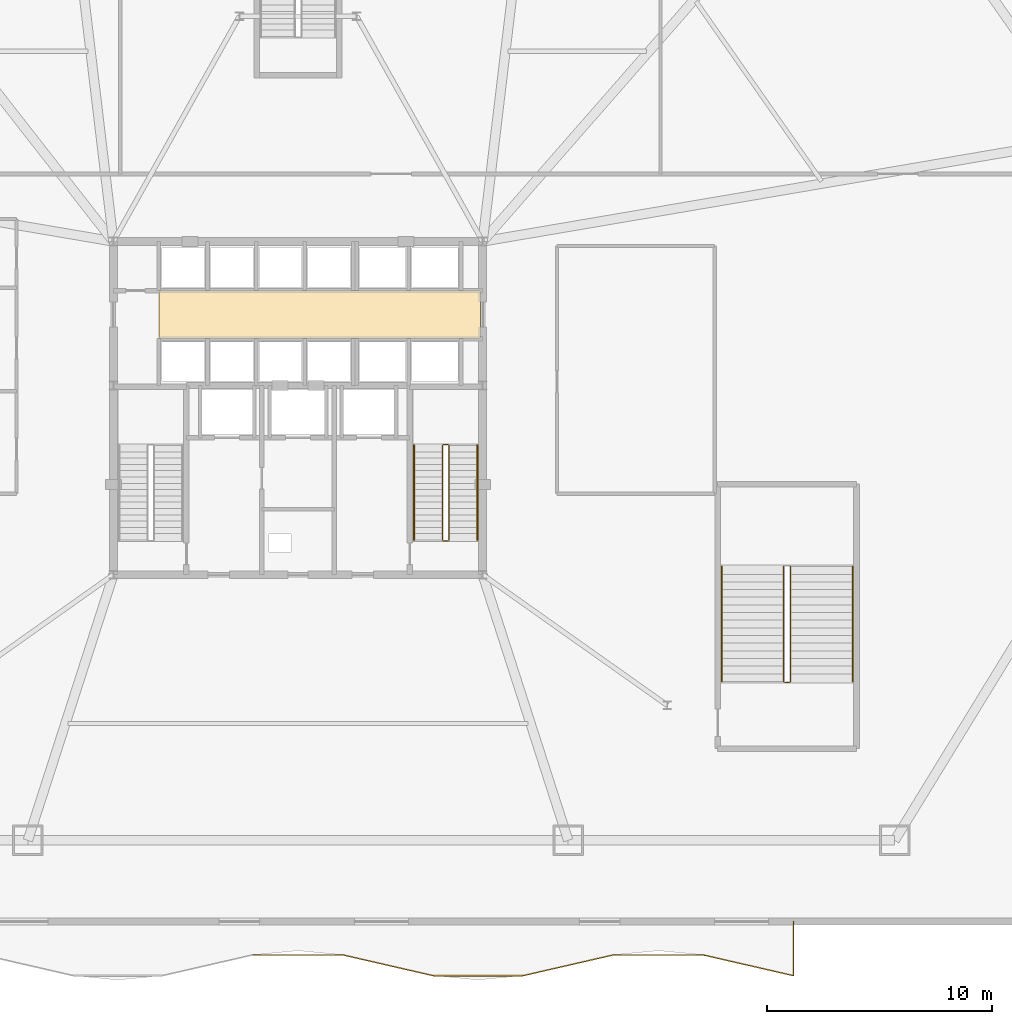
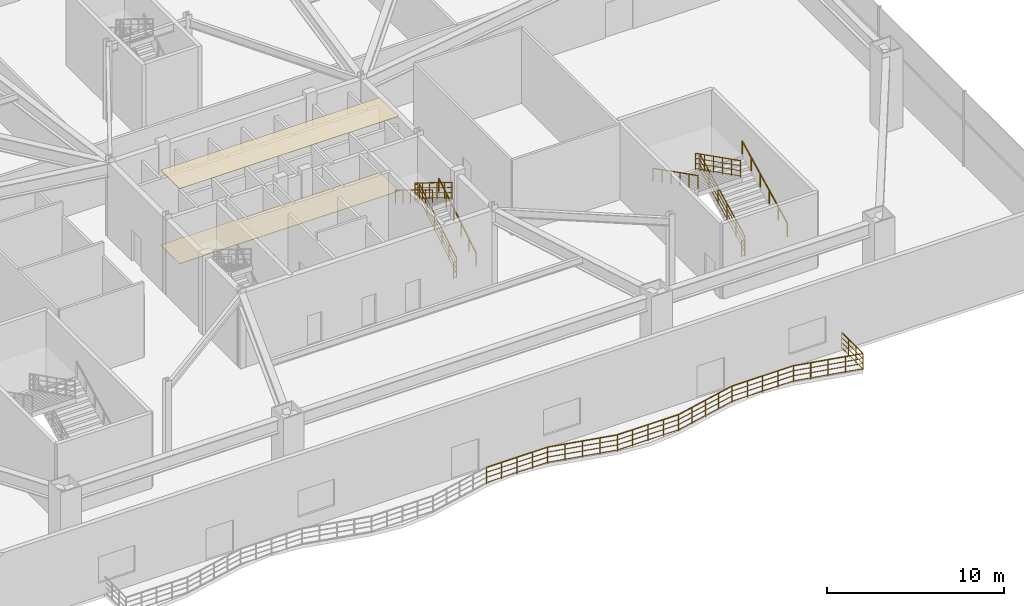
# One storey, part 17 of 20: 18 railings, 2 coverings.
"""IFC4 building model written with IfcOpenShell, lengths in metres."""

from ifc_helpers import new_model, si_unit, direction, frame, origin, origin_2d, place, context, subcontext, project, spatial, polyline, rectangle, outline, extrude, material, layer, layer_set, type_object, element, save


model = new_model("IFC4")

# Units and contexts
model_context = context("Model", 3, precision=1e-05, world=origin(), true_north=direction((0.0, 1.0)))
body_context = subcontext(model_context, "Body", "Model", "MODEL_VIEW")
ifc_project = project(units=[si_unit("LENGTHUNIT", "METRE"), si_unit("AREAUNIT", "SQUARE_METRE"), si_unit("VOLUMEUNIT", "CUBIC_METRE"), si_unit("PLANEANGLEUNIT", "RADIAN"), si_unit("MASSUNIT", "GRAM", prefix="KILO")], contexts=[model_context])

# Site, building, storey
site_placement = place(None, origin())
site = spatial("IfcSite", under=ifc_project, at=site_placement, CompositionType="ELEMENT")
building_placement = place(site_placement, origin())
building = spatial("IfcBuilding", under=site, at=building_placement, Name="Varakhsha Concourse Tower", CompositionType="ELEMENT")
storey_placement = place(building_placement, frame((0.0, 0.0, 16.5)))
storey = spatial("IfcBuildingStorey", under=building, at=storey_placement, Name="L04", CompositionType="ELEMENT", Elevation=16.5)

# Coverings
ifc_material_1 = material(Name="Mineral Fibre Acoustic Lay-In Ceiling Tile 20 mm", Category="mineral")
ifc_layer_1 = layer(ifc_material_1, 0.02001953125, Name="COV-CEIL-20")
ifc_layer_set_1 = layer_set([ifc_layer_1], Name="Mineral Fibre Acoustic Lay-In Ceiling Tile 20 mm")
covering_type_1 = type_object("IfcCoveringType", Name="COV-CEIL-20", PredefinedType="CEILING", material=ifc_layer_set_1)
covering_1_placement = place(storey_placement, frame((0.0, 0.0, 5.159912109375)))
element("IfcCovering", 1, at=covering_1_placement, inside=storey, type_object=covering_type_1, Name="L04 Lift Lobby Acoustic Ceiling", PredefinedType="CEILING", context=body_context, shape_type="SweptSolid", body=[
    extrude(outline(polyline([(33.820068359375, 26.8798828125), (48.10009765625, 26.8798828125), (48.10009765625, 29.02001953125), (33.820068359375, 29.02001953125), (33.820068359375, 26.8798828125)])), origin(), (0.0, 0.0, 1.0), 0.02001953125),
])
ifc_material_2 = material(Name="Polished Samarkand Aggregate Terrazzo Flooring 25 mm", Category="concrete")
ifc_layer_2 = layer(ifc_material_2, 0.02490234375, Name="COV-FLOOR-25")
ifc_layer_set_2 = layer_set([ifc_layer_2], Name="Polished Samarkand Aggregate Terrazzo Flooring 25 mm")
covering_type_2 = type_object("IfcCoveringType", Name="COV-FLOOR-25", PredefinedType="FLOORING", material=ifc_layer_set_2)
covering_2_placement = place(storey_placement, origin())
element("IfcCovering", 2, at=covering_2_placement, inside=storey, type_object=covering_type_2, Name="L04 Lift Lobby Terrazzo Flooring", PredefinedType="FLOORING", context=body_context, shape_type="SweptSolid", body=[
    extrude(outline(polyline([(33.820068359375, 26.8798828125), (48.10009765625, 26.8798828125), (48.10009765625, 29.02001953125), (33.820068359375, 29.02001953125), (33.820068359375, 26.8798828125)])), origin(), (0.0, 0.0, 1.0), 0.02490234375),
])

# Railings
ifc_material_3 = material(Name="Laminated Structural Low-Iron Glass 52 mm", Category="glass")
railing_type_1 = type_object("IfcRailingType", Name="RL-BALUSTRADE-1150", PredefinedType="BALUSTRADE", material=ifc_material_3)
railing_1_placement = place(storey_placement, frame((38.0, -0.490478515625, 0.0)))
element("IfcRailing", 3, at=railing_1_placement, inside=storey, type_object=railing_type_1, Name="L04 Perimeter Safety Balustrade RL-WAVE-L04-08", PredefinedType="BALUSTRADE", context=body_context, shape_type="SweptSolid", body=[
    extrude(rectangle(XDim=0.048095703125, YDim=0.048095703125, at=origin_2d()), frame((0.0, 0.0, 1.1259765625), z_axis=(1.0, 0.0, 0.0), x_axis=(0.0, 1.0, 0.0)), (0.0, 0.0, 1.0), 4.0),
    extrude(rectangle(XDim=0.028076171875, YDim=0.028076171875, at=origin_2d()), frame((0.0, 0.0, 0.080078125), z_axis=(1.0, 0.0, 0.0), x_axis=(0.0, 1.0, 0.0)), (0.0, 0.0, 1.0), 4.0),
    extrude(rectangle(XDim=0.028076171875, YDim=0.028076171875, at=origin_2d()), frame((0.0, 0.0, 0.43701171875), z_axis=(1.0, 0.0, 0.0), x_axis=(0.0, 1.0, 0.0)), (0.0, 0.0, 1.0), 4.0),
    extrude(rectangle(XDim=0.028076171875, YDim=0.028076171875, at=origin_2d()), frame((0.0, 0.0, 0.781982421875), z_axis=(1.0, 0.0, 0.0), x_axis=(0.0, 1.0, 0.0)), (0.0, 0.0, 1.0), 4.0),
    extrude(rectangle(XDim=0.0419921875, YDim=0.0419921875, at=origin_2d()), origin(), (0.0, 0.0, 1.0), 1.101806640625),
    extrude(rectangle(XDim=0.0419921875, YDim=0.0419921875, at=origin_2d()), frame((1.0, 0.0, 0.0)), (0.0, 0.0, 1.0), 1.101806640625),
    extrude(rectangle(XDim=0.0419921875, YDim=0.0419921875, at=origin_2d()), frame((2.0, 0.0, 0.0)), (0.0, 0.0, 1.0), 1.101806640625),
    extrude(rectangle(XDim=0.0419921875, YDim=0.0419921875, at=origin_2d()), frame((3.0, 0.0, 0.0)), (0.0, 0.0, 1.0), 1.101806640625),
    extrude(rectangle(XDim=0.0419921875, YDim=0.0419921875, at=origin_2d()), frame((4.0, 0.0, 0.0)), (0.0, 0.0, 1.0), 1.101806640625),
])
railing_2_placement = place(storey_placement, frame((42.0, -0.490478515625, 0.0)))
element("IfcRailing", 4, at=railing_2_placement, inside=storey, type_object=railing_type_1, Name="L04 Perimeter Safety Balustrade RL-WAVE-L04-09", PredefinedType="BALUSTRADE", context=body_context, shape_type="SweptSolid", body=[
    extrude(rectangle(XDim=0.048095703125, YDim=0.048095703125, at=origin_2d()), frame((0.0, 0.0, 1.1259765625), z_axis=(0.974598308999, -0.223960121666, 0.0), x_axis=(0.223960121666, 0.974598308999, 0.0)), (0.0, 0.0, 1.0), 4.104248046875),
    extrude(rectangle(XDim=0.028076171875, YDim=0.028076171875, at=origin_2d()), frame((0.0, 0.0, 0.080078125), z_axis=(0.974598308999, -0.223960121666, 0.0), x_axis=(0.223960121666, 0.974598308999, 0.0)), (0.0, 0.0, 1.0), 4.104248046875),
    extrude(rectangle(XDim=0.028076171875, YDim=0.028076171875, at=origin_2d()), frame((0.0, 0.0, 0.43701171875), z_axis=(0.974598308999, -0.223960121666, 0.0), x_axis=(0.223960121666, 0.974598308999, 0.0)), (0.0, 0.0, 1.0), 4.104248046875),
    extrude(rectangle(XDim=0.028076171875, YDim=0.028076171875, at=origin_2d()), frame((0.0, 0.0, 0.781982421875), z_axis=(0.974598308999, -0.223960121666, 0.0), x_axis=(0.223960121666, 0.974598308999, 0.0)), (0.0, 0.0, 1.0), 4.104248046875),
    extrude(rectangle(XDim=0.0419921875, YDim=0.0419921875, at=origin_2d()), origin(), (0.0, 0.0, 1.0), 1.101806640625),
    extrude(rectangle(XDim=0.0419921875, YDim=0.0419921875, at=origin_2d()), frame((1.0, -0.229736328125, 0.0)), (0.0, 0.0, 1.0), 1.101806640625),
    extrude(rectangle(XDim=0.0419921875, YDim=0.0419921875, at=origin_2d()), frame((2.0, -0.45947265625, 0.0)), (0.0, 0.0, 1.0), 1.101806640625),
    extrude(rectangle(XDim=0.0419921875, YDim=0.0419921875, at=origin_2d()), frame((3.0, -0.689453125, 0.0)), (0.0, 0.0, 1.0), 1.101806640625),
    extrude(rectangle(XDim=0.0419921875, YDim=0.0419921875, at=origin_2d()), frame((4.0, -0.919189453125, 0.0)), (0.0, 0.0, 1.0), 1.101806640625),
])
railing_3_placement = place(storey_placement, frame((46.0, -1.40966796875, 0.0)))
element("IfcRailing", 5, at=railing_3_placement, inside=storey, type_object=railing_type_1, Name="L04 Perimeter Safety Balustrade RL-WAVE-L04-10", PredefinedType="BALUSTRADE", context=body_context, shape_type="SweptSolid", body=[
    extrude(rectangle(XDim=0.048095703125, YDim=0.048095703125, at=origin_2d()), frame((0.0, 0.0, 1.1259765625), z_axis=(1.0, 0.0, 0.0), x_axis=(0.0, 1.0, 0.0)), (0.0, 0.0, 1.0), 4.0),
    extrude(rectangle(XDim=0.028076171875, YDim=0.028076171875, at=origin_2d()), frame((0.0, 0.0, 0.080078125), z_axis=(1.0, 0.0, 0.0), x_axis=(0.0, 1.0, 0.0)), (0.0, 0.0, 1.0), 4.0),
    extrude(rectangle(XDim=0.028076171875, YDim=0.028076171875, at=origin_2d()), frame((0.0, 0.0, 0.43701171875), z_axis=(1.0, 0.0, 0.0), x_axis=(0.0, 1.0, 0.0)), (0.0, 0.0, 1.0), 4.0),
    extrude(rectangle(XDim=0.028076171875, YDim=0.028076171875, at=origin_2d()), frame((0.0, 0.0, 0.781982421875), z_axis=(1.0, 0.0, 0.0), x_axis=(0.0, 1.0, 0.0)), (0.0, 0.0, 1.0), 4.0),
    extrude(rectangle(XDim=0.0419921875, YDim=0.0419921875, at=origin_2d()), origin(), (0.0, 0.0, 1.0), 1.101806640625),
    extrude(rectangle(XDim=0.0419921875, YDim=0.0419921875, at=origin_2d()), frame((1.0, 0.0, 0.0)), (0.0, 0.0, 1.0), 1.101806640625),
    extrude(rectangle(XDim=0.0419921875, YDim=0.0419921875, at=origin_2d()), frame((2.0, 0.0, 0.0)), (0.0, 0.0, 1.0), 1.101806640625),
    extrude(rectangle(XDim=0.0419921875, YDim=0.0419921875, at=origin_2d()), frame((3.0, 0.0, 0.0)), (0.0, 0.0, 1.0), 1.101806640625),
    extrude(rectangle(XDim=0.0419921875, YDim=0.0419921875, at=origin_2d()), frame((4.0, 0.0, 0.0)), (0.0, 0.0, 1.0), 1.101806640625),
])
railing_4_placement = place(storey_placement, frame((50.0, -1.40966796875, 0.0)))
element("IfcRailing", 6, at=railing_4_placement, inside=storey, type_object=railing_type_1, Name="L04 Perimeter Safety Balustrade RL-WAVE-L04-11", PredefinedType="BALUSTRADE", context=body_context, shape_type="SweptSolid", body=[
    extrude(rectangle(XDim=0.048095703125, YDim=0.048095703125, at=origin_2d()), frame((0.0, 0.0, 1.1259765625), z_axis=(0.974598308999, 0.223960121666, 0.0), x_axis=(-0.223960121666, 0.974598308999, 0.0)), (0.0, 0.0, 1.0), 4.104248046875),
    extrude(rectangle(XDim=0.028076171875, YDim=0.028076171875, at=origin_2d()), frame((0.0, 0.0, 0.080078125), z_axis=(0.974598308999, 0.223960121666, 0.0), x_axis=(-0.223960121666, 0.974598308999, 0.0)), (0.0, 0.0, 1.0), 4.104248046875),
    extrude(rectangle(XDim=0.028076171875, YDim=0.028076171875, at=origin_2d()), frame((0.0, 0.0, 0.43701171875), z_axis=(0.974598308999, 0.223960121666, 0.0), x_axis=(-0.223960121666, 0.974598308999, 0.0)), (0.0, 0.0, 1.0), 4.104248046875),
    extrude(rectangle(XDim=0.028076171875, YDim=0.028076171875, at=origin_2d()), frame((0.0, 0.0, 0.781982421875), z_axis=(0.974598308999, 0.223960121666, 0.0), x_axis=(-0.223960121666, 0.974598308999, 0.0)), (0.0, 0.0, 1.0), 4.104248046875),
    extrude(rectangle(XDim=0.0419921875, YDim=0.0419921875, at=origin_2d()), origin(), (0.0, 0.0, 1.0), 1.101806640625),
    extrude(rectangle(XDim=0.0419921875, YDim=0.0419921875, at=origin_2d()), frame((1.0, 0.229736328125, 0.0)), (0.0, 0.0, 1.0), 1.101806640625),
    extrude(rectangle(XDim=0.0419921875, YDim=0.0419921875, at=origin_2d()), frame((2.0, 0.45947265625, 0.0)), (0.0, 0.0, 1.0), 1.101806640625),
    extrude(rectangle(XDim=0.0419921875, YDim=0.0419921875, at=origin_2d()), frame((3.0, 0.689453125, 0.0)), (0.0, 0.0, 1.0), 1.101806640625),
    extrude(rectangle(XDim=0.0419921875, YDim=0.0419921875, at=origin_2d()), frame((4.0, 0.919189453125, 0.0)), (0.0, 0.0, 1.0), 1.101806640625),
])
railing_5_placement = place(storey_placement, frame((54.0, -0.490478515625, 0.0)))
element("IfcRailing", 7, at=railing_5_placement, inside=storey, type_object=railing_type_1, Name="L04 Perimeter Safety Balustrade RL-WAVE-L04-12", PredefinedType="BALUSTRADE", context=body_context, shape_type="SweptSolid", body=[
    extrude(rectangle(XDim=0.048095703125, YDim=0.048095703125, at=origin_2d()), frame((0.0, 0.0, 1.1259765625), z_axis=(1.0, 0.0, 0.0), x_axis=(0.0, 1.0, 0.0)), (0.0, 0.0, 1.0), 4.0),
    extrude(rectangle(XDim=0.028076171875, YDim=0.028076171875, at=origin_2d()), frame((0.0, 0.0, 0.080078125), z_axis=(1.0, 0.0, 0.0), x_axis=(0.0, 1.0, 0.0)), (0.0, 0.0, 1.0), 4.0),
    extrude(rectangle(XDim=0.028076171875, YDim=0.028076171875, at=origin_2d()), frame((0.0, 0.0, 0.43701171875), z_axis=(1.0, 0.0, 0.0), x_axis=(0.0, 1.0, 0.0)), (0.0, 0.0, 1.0), 4.0),
    extrude(rectangle(XDim=0.028076171875, YDim=0.028076171875, at=origin_2d()), frame((0.0, 0.0, 0.781982421875), z_axis=(1.0, 0.0, 0.0), x_axis=(0.0, 1.0, 0.0)), (0.0, 0.0, 1.0), 4.0),
    extrude(rectangle(XDim=0.0419921875, YDim=0.0419921875, at=origin_2d()), origin(), (0.0, 0.0, 1.0), 1.101806640625),
    extrude(rectangle(XDim=0.0419921875, YDim=0.0419921875, at=origin_2d()), frame((1.0, 0.0, 0.0)), (0.0, 0.0, 1.0), 1.101806640625),
    extrude(rectangle(XDim=0.0419921875, YDim=0.0419921875, at=origin_2d()), frame((2.0, 0.0, 0.0)), (0.0, 0.0, 1.0), 1.101806640625),
    extrude(rectangle(XDim=0.0419921875, YDim=0.0419921875, at=origin_2d()), frame((3.0, 0.0, 0.0)), (0.0, 0.0, 1.0), 1.101806640625),
    extrude(rectangle(XDim=0.0419921875, YDim=0.0419921875, at=origin_2d()), frame((4.0, 0.0, 0.0)), (0.0, 0.0, 1.0), 1.101806640625),
])
railing_6_placement = place(storey_placement, frame((58.0, -0.490478515625, 0.0)))
element("IfcRailing", 8, at=railing_6_placement, inside=storey, type_object=railing_type_1, Name="L04 Perimeter Safety Balustrade RL-WAVE-L04-13", PredefinedType="BALUSTRADE", context=body_context, shape_type="SweptSolid", body=[
    extrude(rectangle(XDim=0.048095703125, YDim=0.048095703125, at=origin_2d()), frame((0.0, 0.0, 1.1259765625), z_axis=(0.974598308999, -0.223960121666, 0.0), x_axis=(0.223960121666, 0.974598308999, 0.0)), (0.0, 0.0, 1.0), 4.104248046875),
    extrude(rectangle(XDim=0.028076171875, YDim=0.028076171875, at=origin_2d()), frame((0.0, 0.0, 0.080078125), z_axis=(0.974598308999, -0.223960121666, 0.0), x_axis=(0.223960121666, 0.974598308999, 0.0)), (0.0, 0.0, 1.0), 4.104248046875),
    extrude(rectangle(XDim=0.028076171875, YDim=0.028076171875, at=origin_2d()), frame((0.0, 0.0, 0.43701171875), z_axis=(0.974598308999, -0.223960121666, 0.0), x_axis=(0.223960121666, 0.974598308999, 0.0)), (0.0, 0.0, 1.0), 4.104248046875),
    extrude(rectangle(XDim=0.028076171875, YDim=0.028076171875, at=origin_2d()), frame((0.0, 0.0, 0.781982421875), z_axis=(0.974598308999, -0.223960121666, 0.0), x_axis=(0.223960121666, 0.974598308999, 0.0)), (0.0, 0.0, 1.0), 4.104248046875),
    extrude(rectangle(XDim=0.0419921875, YDim=0.0419921875, at=origin_2d()), origin(), (0.0, 0.0, 1.0), 1.101806640625),
    extrude(rectangle(XDim=0.0419921875, YDim=0.0419921875, at=origin_2d()), frame((1.0, -0.229736328125, 0.0)), (0.0, 0.0, 1.0), 1.101806640625),
    extrude(rectangle(XDim=0.0419921875, YDim=0.0419921875, at=origin_2d()), frame((2.0, -0.45947265625, 0.0)), (0.0, 0.0, 1.0), 1.101806640625),
    extrude(rectangle(XDim=0.0419921875, YDim=0.0419921875, at=origin_2d()), frame((3.0, -0.689453125, 0.0)), (0.0, 0.0, 1.0), 1.101806640625),
    extrude(rectangle(XDim=0.0419921875, YDim=0.0419921875, at=origin_2d()), frame((4.0, -0.919189453125, 0.0)), (0.0, 0.0, 1.0), 1.101806640625),
])
railing_7_placement = place(storey_placement, frame((62.0, -1.40966796875, 0.0)))
element("IfcRailing", 9, at=railing_7_placement, inside=storey, type_object=railing_type_1, Name="L04 Perimeter Safety Balustrade RL-WAVE-L04-14", PredefinedType="BALUSTRADE", context=body_context, shape_type="SweptSolid", body=[
    extrude(rectangle(XDim=0.048095703125, YDim=0.048095703125, at=origin_2d()), frame((0.0, 0.0, 1.1259765625), z_axis=(0.0, 1.0, 0.0), x_axis=(-1.0, 0.0, 0.0)), (0.0, 0.0, 1.0), 2.40966796875),
    extrude(rectangle(XDim=0.028076171875, YDim=0.028076171875, at=origin_2d()), frame((0.0, 0.0, 0.080078125), z_axis=(0.0, 1.0, 0.0), x_axis=(-1.0, 0.0, 0.0)), (0.0, 0.0, 1.0), 2.40966796875),
    extrude(rectangle(XDim=0.028076171875, YDim=0.028076171875, at=origin_2d()), frame((0.0, 0.0, 0.43701171875), z_axis=(0.0, 1.0, 0.0), x_axis=(-1.0, 0.0, 0.0)), (0.0, 0.0, 1.0), 2.40966796875),
    extrude(rectangle(XDim=0.028076171875, YDim=0.028076171875, at=origin_2d()), frame((0.0, 0.0, 0.781982421875), z_axis=(0.0, 1.0, 0.0), x_axis=(-1.0, 0.0, 0.0)), (0.0, 0.0, 1.0), 2.40966796875),
    extrude(rectangle(XDim=0.0419921875, YDim=0.0419921875, at=origin_2d()), origin(), (0.0, 0.0, 1.0), 1.101806640625),
    extrude(rectangle(XDim=0.0419921875, YDim=0.0419921875, at=origin_2d()), frame((0.0, 0.80322265625, 0.0)), (0.0, 0.0, 1.0), 1.101806640625),
    extrude(rectangle(XDim=0.0419921875, YDim=0.0419921875, at=origin_2d()), frame((0.0, 1.6064453125, 0.0)), (0.0, 0.0, 1.0), 1.101806640625),
    extrude(rectangle(XDim=0.0419921875, YDim=0.0419921875, at=origin_2d()), frame((0.0, 2.40966796875, 0.0)), (0.0, 0.0, 1.0), 1.101806640625),
])
ifc_material_4 = material(Name="Brushed Austenitic Stainless Steel AISI 316", Category="steel")
railing_type_2 = type_object("IfcRailingType", Name="RL-STAIR-GUARD-1100", PredefinedType="GUARDRAIL", material=ifc_material_4)
railing_8_placement = place(storey_placement, frame((46.7099609375, 17.93994140625, 0.171875)))
element("IfcRailing", 10, at=railing_8_placement, inside=storey, type_object=railing_type_2, Name="L04 ST2 stair guard 1", PredefinedType="GUARDRAIL", context=body_context, shape_type="SweptSolid", body=[
    extrude(rectangle(XDim=0.048095703125, YDim=0.048095703125, at=origin_2d()), frame((0.0, 0.0, 1.1259765625), z_axis=(0.0, 0.852242915053, 0.523146264196), x_axis=(-1.0, 0.0, 0.0)), (0.0, 0.0, 1.0), 4.92822265625),
    extrude(rectangle(XDim=0.028076171875, YDim=0.028076171875, at=origin_2d()), frame((0.0, 0.0, 0.080078125), z_axis=(0.0, 0.852242915053, 0.523146264196), x_axis=(-1.0, 0.0, 0.0)), (0.0, 0.0, 1.0), 4.92822265625),
    extrude(rectangle(XDim=0.028076171875, YDim=0.028076171875, at=origin_2d()), frame((0.0, 0.0, 0.43701171875), z_axis=(0.0, 0.852242915053, 0.523146264196), x_axis=(-1.0, 0.0, 0.0)), (0.0, 0.0, 1.0), 4.92822265625),
    extrude(rectangle(XDim=0.028076171875, YDim=0.028076171875, at=origin_2d()), frame((0.0, 0.0, 0.781982421875), z_axis=(0.0, 0.852242915053, 0.523146264196), x_axis=(-1.0, 0.0, 0.0)), (0.0, 0.0, 1.0), 4.92822265625),
    extrude(rectangle(XDim=0.0419921875, YDim=0.0419921875, at=origin_2d()), origin(), (0.0, 0.0, 1.0), 1.101806640625),
    extrude(rectangle(XDim=0.0419921875, YDim=0.0419921875, at=origin_2d()), frame((0.0, 0.840087890625, 0.515625)), (0.0, 0.0, 1.0), 1.101806640625),
    extrude(rectangle(XDim=0.0419921875, YDim=0.0419921875, at=origin_2d()), frame((0.0, 1.679931640625, 1.03125)), (0.0, 0.0, 1.0), 1.101806640625),
    extrude(rectangle(XDim=0.0419921875, YDim=0.0419921875, at=origin_2d()), frame((0.0, 2.52001953125, 1.546875)), (0.0, 0.0, 1.0), 1.101806640625),
    extrude(rectangle(XDim=0.0419921875, YDim=0.0419921875, at=origin_2d()), frame((0.0, 3.35986328125, 2.0625)), (0.0, 0.0, 1.0), 1.101806640625),
    extrude(rectangle(XDim=0.0419921875, YDim=0.0419921875, at=origin_2d()), frame((0.0, 4.199951171875, 2.578125)), (0.0, 0.0, 1.0), 1.101806640625),
])
railing_9_placement = place(storey_placement, frame((46.659912109375, 22.18994140625, 2.75)))
element("IfcRailing", 11, at=railing_9_placement, inside=storey, type_object=railing_type_2, Name="L04 ST2 stair guard 2", PredefinedType="GUARDRAIL", context=body_context, shape_type="SweptSolid", body=[
    extrude(rectangle(XDim=0.048095703125, YDim=0.048095703125, at=origin_2d()), frame((0.0, 0.0, 1.1259765625), z_axis=(-1.0, 0.0, 0.0), x_axis=(0.0, -1.0, 0.0)), (0.0, 0.0, 1.0), 0.199951171875),
    extrude(rectangle(XDim=0.028076171875, YDim=0.028076171875, at=origin_2d()), frame((0.0, 0.0, 0.080078125), z_axis=(-1.0, 0.0, 0.0), x_axis=(0.0, -1.0, 0.0)), (0.0, 0.0, 1.0), 0.199951171875),
    extrude(rectangle(XDim=0.028076171875, YDim=0.028076171875, at=origin_2d()), frame((0.0, 0.0, 0.43701171875), z_axis=(-1.0, 0.0, 0.0), x_axis=(0.0, -1.0, 0.0)), (0.0, 0.0, 1.0), 0.199951171875),
    extrude(rectangle(XDim=0.028076171875, YDim=0.028076171875, at=origin_2d()), frame((0.0, 0.0, 0.781982421875), z_axis=(-1.0, 0.0, 0.0), x_axis=(0.0, -1.0, 0.0)), (0.0, 0.0, 1.0), 0.199951171875),
    extrude(rectangle(XDim=0.0419921875, YDim=0.0419921875, at=origin_2d()), origin(), (0.0, 0.0, 1.0), 1.101806640625),
    extrude(rectangle(XDim=0.0419921875, YDim=0.0419921875, at=origin_2d()), frame((-0.199951171875, 0.0, 0.0)), (0.0, 0.0, 1.0), 1.101806640625),
])
railing_10_placement = place(storey_placement, frame((46.409912109375, 22.139892578125, 2.921875)))
element("IfcRailing", 12, at=railing_10_placement, inside=storey, type_object=railing_type_2, Name="L04 ST2 stair guard 3", PredefinedType="GUARDRAIL", context=body_context, shape_type="SweptSolid", body=[
    extrude(rectangle(XDim=0.048095703125, YDim=0.048095703125, at=origin_2d()), frame((0.0, 0.0, 1.1259765625), z_axis=(0.0, -0.852242915053, 0.523146264196), x_axis=(1.0, 0.0, 0.0)), (0.0, 0.0, 1.0), 4.92822265625),
    extrude(rectangle(XDim=0.028076171875, YDim=0.028076171875, at=origin_2d()), frame((0.0, 0.0, 0.080078125), z_axis=(0.0, -0.852242915053, 0.523146264196), x_axis=(1.0, 0.0, 0.0)), (0.0, 0.0, 1.0), 4.92822265625),
    extrude(rectangle(XDim=0.028076171875, YDim=0.028076171875, at=origin_2d()), frame((0.0, 0.0, 0.43701171875), z_axis=(0.0, -0.852242915053, 0.523146264196), x_axis=(1.0, 0.0, 0.0)), (0.0, 0.0, 1.0), 4.92822265625),
    extrude(rectangle(XDim=0.028076171875, YDim=0.028076171875, at=origin_2d()), frame((0.0, 0.0, 0.781982421875), z_axis=(0.0, -0.852242915053, 0.523146264196), x_axis=(1.0, 0.0, 0.0)), (0.0, 0.0, 1.0), 4.92822265625),
    extrude(rectangle(XDim=0.0419921875, YDim=0.0419921875, at=origin_2d()), origin(), (0.0, 0.0, 1.0), 1.101806640625),
    extrude(rectangle(XDim=0.0419921875, YDim=0.0419921875, at=origin_2d()), frame((0.0, -0.840087890625, 0.515625)), (0.0, 0.0, 1.0), 1.101806640625),
    extrude(rectangle(XDim=0.0419921875, YDim=0.0419921875, at=origin_2d()), frame((0.0, -1.679931640625, 1.03125)), (0.0, 0.0, 1.0), 1.101806640625),
    extrude(rectangle(XDim=0.0419921875, YDim=0.0419921875, at=origin_2d()), frame((0.0, -2.52001953125, 1.546875)), (0.0, 0.0, 1.0), 1.101806640625),
    extrude(rectangle(XDim=0.0419921875, YDim=0.0419921875, at=origin_2d()), frame((0.0, -3.35986328125, 2.0625)), (0.0, 0.0, 1.0), 1.101806640625),
    extrude(rectangle(XDim=0.0419921875, YDim=0.0419921875, at=origin_2d()), frame((0.0, -4.199951171875, 2.578125)), (0.0, 0.0, 1.0), 1.101806640625),
])
railing_11_placement = place(storey_placement, frame((46.659912109375, 17.889892578125, 0.0)))
element("IfcRailing", 13, at=railing_11_placement, inside=storey, type_object=railing_type_2, Name="L04 ST2 stair guard 4", PredefinedType="GUARDRAIL", context=body_context, shape_type="SweptSolid", body=[
    extrude(rectangle(XDim=0.048095703125, YDim=0.048095703125, at=origin_2d()), frame((0.0, 0.0, 1.1259765625), z_axis=(-1.0, 0.0, 0.0), x_axis=(0.0, -1.0, 0.0)), (0.0, 0.0, 1.0), 0.199951171875),
    extrude(rectangle(XDim=0.028076171875, YDim=0.028076171875, at=origin_2d()), frame((0.0, 0.0, 0.080078125), z_axis=(-1.0, 0.0, 0.0), x_axis=(0.0, -1.0, 0.0)), (0.0, 0.0, 1.0), 0.199951171875),
    extrude(rectangle(XDim=0.028076171875, YDim=0.028076171875, at=origin_2d()), frame((0.0, 0.0, 0.43701171875), z_axis=(-1.0, 0.0, 0.0), x_axis=(0.0, -1.0, 0.0)), (0.0, 0.0, 1.0), 0.199951171875),
    extrude(rectangle(XDim=0.028076171875, YDim=0.028076171875, at=origin_2d()), frame((0.0, 0.0, 0.781982421875), z_axis=(-1.0, 0.0, 0.0), x_axis=(0.0, -1.0, 0.0)), (0.0, 0.0, 1.0), 0.199951171875),
    extrude(rectangle(XDim=0.0419921875, YDim=0.0419921875, at=origin_2d()), origin(), (0.0, 0.0, 1.0), 1.101806640625),
    extrude(rectangle(XDim=0.0419921875, YDim=0.0419921875, at=origin_2d()), frame((-0.199951171875, 0.0, 0.0)), (0.0, 0.0, 1.0), 1.101806640625),
])
railing_12_placement = place(storey_placement, frame((61.8701171875, 11.659912109375, 0.171875)))
element("IfcRailing", 14, at=railing_12_placement, inside=storey, type_object=railing_type_2, Name="L04 ST4 stair guard 1", PredefinedType="GUARDRAIL", context=body_context, shape_type="SweptSolid", body=[
    extrude(rectangle(XDim=0.048095703125, YDim=0.048095703125, at=origin_2d()), frame((0.0, 0.0, 1.1259765625), z_axis=(0.0, 0.892453363607, 0.451139661067), x_axis=(-1.0, 0.0, 0.0)), (0.0, 0.0, 1.0), 5.714599609375),
    extrude(rectangle(XDim=0.028076171875, YDim=0.028076171875, at=origin_2d()), frame((0.0, 0.0, 0.080078125), z_axis=(0.0, 0.892453363607, 0.451139661067), x_axis=(-1.0, 0.0, 0.0)), (0.0, 0.0, 1.0), 5.714599609375),
    extrude(rectangle(XDim=0.028076171875, YDim=0.028076171875, at=origin_2d()), frame((0.0, 0.0, 0.43701171875), z_axis=(0.0, 0.892453363607, 0.451139661067), x_axis=(-1.0, 0.0, 0.0)), (0.0, 0.0, 1.0), 5.714599609375),
    extrude(rectangle(XDim=0.028076171875, YDim=0.028076171875, at=origin_2d()), frame((0.0, 0.0, 0.781982421875), z_axis=(0.0, 0.892453363607, 0.451139661067), x_axis=(-1.0, 0.0, 0.0)), (0.0, 0.0, 1.0), 5.714599609375),
    extrude(rectangle(XDim=0.0419921875, YDim=0.0419921875, at=origin_2d()), origin(), (0.0, 0.0, 1.0), 1.101806640625),
    extrude(rectangle(XDim=0.0419921875, YDim=0.0419921875, at=origin_2d()), frame((0.0, 1.02001953125, 0.515625)), (0.0, 0.0, 1.0), 1.101806640625),
    extrude(rectangle(XDim=0.0419921875, YDim=0.0419921875, at=origin_2d()), frame((0.0, 2.0400390625, 1.03125)), (0.0, 0.0, 1.0), 1.101806640625),
    extrude(rectangle(XDim=0.0419921875, YDim=0.0419921875, at=origin_2d()), frame((0.0, 3.06005859375, 1.546875)), (0.0, 0.0, 1.0), 1.101806640625),
    extrude(rectangle(XDim=0.0419921875, YDim=0.0419921875, at=origin_2d()), frame((0.0, 4.080078125, 2.0625)), (0.0, 0.0, 1.0), 1.101806640625),
    extrude(rectangle(XDim=0.0419921875, YDim=0.0419921875, at=origin_2d()), frame((0.0, 5.10009765625, 2.578125)), (0.0, 0.0, 1.0), 1.101806640625),
])
railing_13_placement = place(storey_placement, frame((61.570068359375, 16.760009765625, 2.921875)))
element("IfcRailing", 15, at=railing_13_placement, inside=storey, type_object=railing_type_2, Name="L04 ST4 stair guard 3", PredefinedType="GUARDRAIL", context=body_context, shape_type="SweptSolid", body=[
    extrude(rectangle(XDim=0.048095703125, YDim=0.048095703125, at=origin_2d()), frame((0.0, 0.0, 1.1259765625), z_axis=(0.0, -0.892453363607, 0.451139661067), x_axis=(1.0, 0.0, 0.0)), (0.0, 0.0, 1.0), 5.714599609375),
    extrude(rectangle(XDim=0.028076171875, YDim=0.028076171875, at=origin_2d()), frame((0.0, 0.0, 0.080078125), z_axis=(0.0, -0.892453363607, 0.451139661067), x_axis=(1.0, 0.0, 0.0)), (0.0, 0.0, 1.0), 5.714599609375),
    extrude(rectangle(XDim=0.028076171875, YDim=0.028076171875, at=origin_2d()), frame((0.0, 0.0, 0.43701171875), z_axis=(0.0, -0.892453363607, 0.451139661067), x_axis=(1.0, 0.0, 0.0)), (0.0, 0.0, 1.0), 5.714599609375),
    extrude(rectangle(XDim=0.028076171875, YDim=0.028076171875, at=origin_2d()), frame((0.0, 0.0, 0.781982421875), z_axis=(0.0, -0.892453363607, 0.451139661067), x_axis=(1.0, 0.0, 0.0)), (0.0, 0.0, 1.0), 5.714599609375),
    extrude(rectangle(XDim=0.0419921875, YDim=0.0419921875, at=origin_2d()), origin(), (0.0, 0.0, 1.0), 1.101806640625),
    extrude(rectangle(XDim=0.0419921875, YDim=0.0419921875, at=origin_2d()), frame((0.0, -1.02001953125, 0.515625)), (0.0, 0.0, 1.0), 1.101806640625),
    extrude(rectangle(XDim=0.0419921875, YDim=0.0419921875, at=origin_2d()), frame((0.0, -2.0400390625, 1.03125)), (0.0, 0.0, 1.0), 1.101806640625),
    extrude(rectangle(XDim=0.0419921875, YDim=0.0419921875, at=origin_2d()), frame((0.0, -3.06005859375, 1.546875)), (0.0, 0.0, 1.0), 1.101806640625),
    extrude(rectangle(XDim=0.0419921875, YDim=0.0419921875, at=origin_2d()), frame((0.0, -4.080078125, 2.0625)), (0.0, 0.0, 1.0), 1.101806640625),
    extrude(rectangle(XDim=0.0419921875, YDim=0.0419921875, at=origin_2d()), frame((0.0, -5.10009765625, 2.578125)), (0.0, 0.0, 1.0), 1.101806640625),
])
railing_14_placement = place(storey_placement, frame((61.820068359375, 11.610107421875, 0.0)))
element("IfcRailing", 16, at=railing_14_placement, inside=storey, type_object=railing_type_2, Name="L04 ST4 stair guard 4", PredefinedType="GUARDRAIL", context=body_context, shape_type="SweptSolid", body=[
    extrude(rectangle(XDim=0.048095703125, YDim=0.048095703125, at=origin_2d()), frame((0.0, 0.0, 1.1259765625), z_axis=(-1.0, 0.0, 0.0), x_axis=(0.0, -1.0, 0.0)), (0.0, 0.0, 1.0), 0.199951171875),
    extrude(rectangle(XDim=0.028076171875, YDim=0.028076171875, at=origin_2d()), frame((0.0, 0.0, 0.080078125), z_axis=(-1.0, 0.0, 0.0), x_axis=(0.0, -1.0, 0.0)), (0.0, 0.0, 1.0), 0.199951171875),
    extrude(rectangle(XDim=0.028076171875, YDim=0.028076171875, at=origin_2d()), frame((0.0, 0.0, 0.43701171875), z_axis=(-1.0, 0.0, 0.0), x_axis=(0.0, -1.0, 0.0)), (0.0, 0.0, 1.0), 0.199951171875),
    extrude(rectangle(XDim=0.028076171875, YDim=0.028076171875, at=origin_2d()), frame((0.0, 0.0, 0.781982421875), z_axis=(-1.0, 0.0, 0.0), x_axis=(0.0, -1.0, 0.0)), (0.0, 0.0, 1.0), 0.199951171875),
    extrude(rectangle(XDim=0.0419921875, YDim=0.0419921875, at=origin_2d()), origin(), (0.0, 0.0, 1.0), 1.101806640625),
    extrude(rectangle(XDim=0.0419921875, YDim=0.0419921875, at=origin_2d()), frame((-0.199951171875, 0.0, 0.0)), (0.0, 0.0, 1.0), 1.101806640625),
])
railing_type_3 = type_object("IfcRailingType", Name="RL-STAIR-RAIL-915", PredefinedType="HANDRAIL", material=ifc_material_4)
railing_15_placement = place(storey_placement, frame((47.969970703125, 17.93994140625, 0.34375)))
element("IfcRailing", 17, at=railing_15_placement, inside=storey, type_object=railing_type_3, Name="L04 ST2 stair handrail 1", PredefinedType="HANDRAIL", context=body_context, shape_type="SweptSolid", body=[
    extrude(rectangle(XDim=0.048095703125, YDim=0.048095703125, at=origin_2d()), frame((0.0, 0.0, 0.89111328125), z_axis=(0.0, 0.852242915053, 0.523146264196), x_axis=(-1.0, 0.0, 0.0)), (0.0, 0.0, 1.0), 4.92822265625),
    extrude(rectangle(XDim=0.0419921875, YDim=0.0419921875, at=origin_2d()), origin(), (0.0, 0.0, 1.0), 0.866943359375),
    extrude(rectangle(XDim=0.0419921875, YDim=0.0419921875, at=origin_2d()), frame((0.0, 0.840087890625, 0.515625)), (0.0, 0.0, 1.0), 0.866943359375),
    extrude(rectangle(XDim=0.0419921875, YDim=0.0419921875, at=origin_2d()), frame((0.0, 1.679931640625, 1.03125)), (0.0, 0.0, 1.0), 0.866943359375),
    extrude(rectangle(XDim=0.0419921875, YDim=0.0419921875, at=origin_2d()), frame((0.0, 2.52001953125, 1.546875)), (0.0, 0.0, 1.0), 0.866943359375),
    extrude(rectangle(XDim=0.0419921875, YDim=0.0419921875, at=origin_2d()), frame((0.0, 3.35986328125, 2.0625)), (0.0, 0.0, 1.0), 0.866943359375),
    extrude(rectangle(XDim=0.0419921875, YDim=0.0419921875, at=origin_2d()), frame((0.0, 4.199951171875, 2.578125)), (0.0, 0.0, 1.0), 0.866943359375),
])
railing_16_placement = place(storey_placement, frame((45.14990234375, 22.139892578125, 3.09375)))
element("IfcRailing", 18, at=railing_16_placement, inside=storey, type_object=railing_type_3, Name="L04 ST2 stair handrail 2", PredefinedType="HANDRAIL", context=body_context, shape_type="SweptSolid", body=[
    extrude(rectangle(XDim=0.048095703125, YDim=0.048095703125, at=origin_2d()), frame((0.0, 0.0, 0.89111328125), z_axis=(0.0, -0.852242915053, 0.523146264196), x_axis=(1.0, 0.0, 0.0)), (0.0, 0.0, 1.0), 4.92822265625),
    extrude(rectangle(XDim=0.0419921875, YDim=0.0419921875, at=origin_2d()), origin(), (0.0, 0.0, 1.0), 0.866943359375),
    extrude(rectangle(XDim=0.0419921875, YDim=0.0419921875, at=origin_2d()), frame((0.0, -0.840087890625, 0.515625)), (0.0, 0.0, 1.0), 0.866943359375),
    extrude(rectangle(XDim=0.0419921875, YDim=0.0419921875, at=origin_2d()), frame((0.0, -1.679931640625, 1.03125)), (0.0, 0.0, 1.0), 0.866943359375),
    extrude(rectangle(XDim=0.0419921875, YDim=0.0419921875, at=origin_2d()), frame((0.0, -2.52001953125, 1.546875)), (0.0, 0.0, 1.0), 0.866943359375),
    extrude(rectangle(XDim=0.0419921875, YDim=0.0419921875, at=origin_2d()), frame((0.0, -3.35986328125, 2.0625)), (0.0, 0.0, 1.0), 0.866943359375),
    extrude(rectangle(XDim=0.0419921875, YDim=0.0419921875, at=origin_2d()), frame((0.0, -4.199951171875, 2.578125)), (0.0, 0.0, 1.0), 0.866943359375),
])
railing_17_placement = place(storey_placement, frame((64.6298828125, 11.659912109375, 0.34375)))
element("IfcRailing", 19, at=railing_17_placement, inside=storey, type_object=railing_type_3, Name="L04 ST4 stair handrail 1", PredefinedType="HANDRAIL", context=body_context, shape_type="SweptSolid", body=[
    extrude(rectangle(XDim=0.048095703125, YDim=0.048095703125, at=origin_2d()), frame((0.0, 0.0, 0.89111328125), z_axis=(0.0, 0.892453363607, 0.451139661067), x_axis=(-1.0, 0.0, 0.0)), (0.0, 0.0, 1.0), 5.714599609375),
    extrude(rectangle(XDim=0.0419921875, YDim=0.0419921875, at=origin_2d()), origin(), (0.0, 0.0, 1.0), 0.866943359375),
    extrude(rectangle(XDim=0.0419921875, YDim=0.0419921875, at=origin_2d()), frame((0.0, 1.02001953125, 0.515625)), (0.0, 0.0, 1.0), 0.866943359375),
    extrude(rectangle(XDim=0.0419921875, YDim=0.0419921875, at=origin_2d()), frame((0.0, 2.0400390625, 1.03125)), (0.0, 0.0, 1.0), 0.866943359375),
    extrude(rectangle(XDim=0.0419921875, YDim=0.0419921875, at=origin_2d()), frame((0.0, 3.06005859375, 1.546875)), (0.0, 0.0, 1.0), 0.866943359375),
    extrude(rectangle(XDim=0.0419921875, YDim=0.0419921875, at=origin_2d()), frame((0.0, 4.080078125, 2.0625)), (0.0, 0.0, 1.0), 0.866943359375),
    extrude(rectangle(XDim=0.0419921875, YDim=0.0419921875, at=origin_2d()), frame((0.0, 5.10009765625, 2.578125)), (0.0, 0.0, 1.0), 0.866943359375),
])
railing_18_placement = place(storey_placement, frame((58.81005859375, 16.760009765625, 3.09375)))
element("IfcRailing", 20, at=railing_18_placement, inside=storey, type_object=railing_type_3, Name="L04 ST4 stair handrail 2", PredefinedType="HANDRAIL", context=body_context, shape_type="SweptSolid", body=[
    extrude(rectangle(XDim=0.048095703125, YDim=0.048095703125, at=origin_2d()), frame((0.0, 0.0, 0.89111328125), z_axis=(0.0, -0.892453363607, 0.451139661067), x_axis=(1.0, 0.0, 0.0)), (0.0, 0.0, 1.0), 5.714599609375),
    extrude(rectangle(XDim=0.0419921875, YDim=0.0419921875, at=origin_2d()), origin(), (0.0, 0.0, 1.0), 0.866943359375),
    extrude(rectangle(XDim=0.0419921875, YDim=0.0419921875, at=origin_2d()), frame((0.0, -1.02001953125, 0.515625)), (0.0, 0.0, 1.0), 0.866943359375),
    extrude(rectangle(XDim=0.0419921875, YDim=0.0419921875, at=origin_2d()), frame((0.0, -2.0400390625, 1.03125)), (0.0, 0.0, 1.0), 0.866943359375),
    extrude(rectangle(XDim=0.0419921875, YDim=0.0419921875, at=origin_2d()), frame((0.0, -3.06005859375, 1.546875)), (0.0, 0.0, 1.0), 0.866943359375),
    extrude(rectangle(XDim=0.0419921875, YDim=0.0419921875, at=origin_2d()), frame((0.0, -4.080078125, 2.0625)), (0.0, 0.0, 1.0), 0.866943359375),
    extrude(rectangle(XDim=0.0419921875, YDim=0.0419921875, at=origin_2d()), frame((0.0, -5.10009765625, 2.578125)), (0.0, 0.0, 1.0), 0.866943359375),
])

save(model, "model.ifc")
